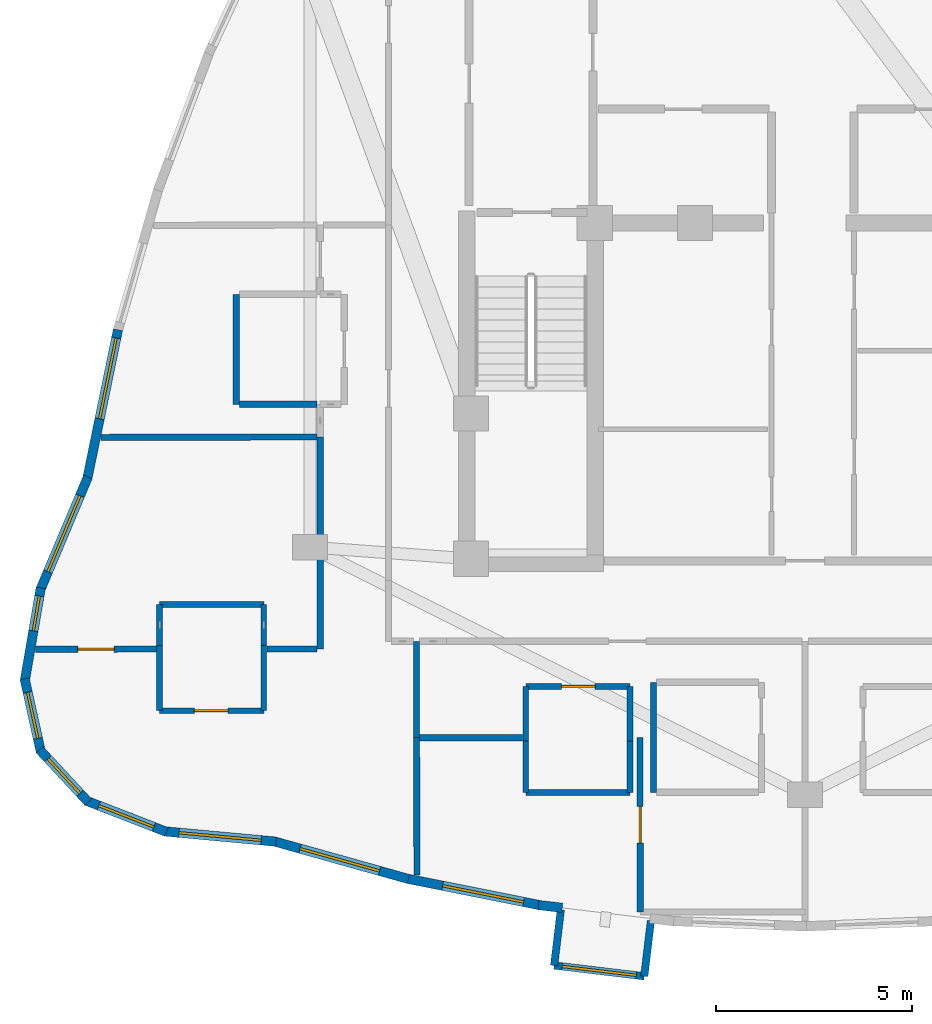
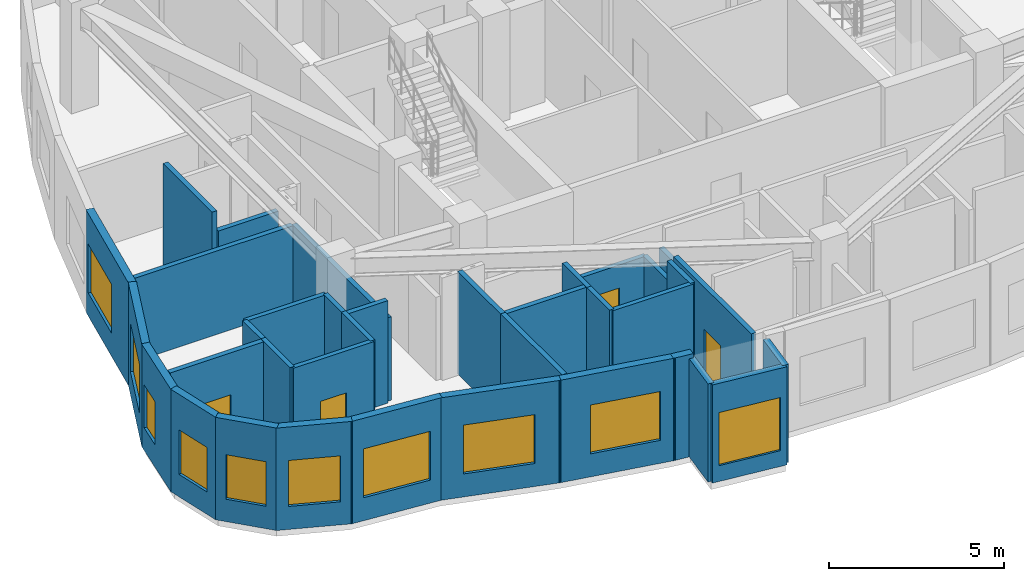
# One storey, part 7 of 13: 36 walls, 10 windows, 4 doors, 14 openings.
"""IFC4 building model written with IfcOpenShell, lengths in metres."""

from ifc_helpers import new_model, si_unit, direction, frame, frame_2d, origin, place, context, subcontext, project, spatial, rectangle, extrude, material, layer, layer_set, type_object, element, fill, save


model = new_model("IFC4")

# Units and contexts
model_context = context("Model", 3, precision=1e-05, world=origin(), true_north=direction((0.0, 1.0)))
body_context = subcontext(model_context, "Body", "Model", "MODEL_VIEW")
ifc_project = project(units=[si_unit("LENGTHUNIT", "METRE"), si_unit("AREAUNIT", "SQUARE_METRE"), si_unit("VOLUMEUNIT", "CUBIC_METRE"), si_unit("PLANEANGLEUNIT", "RADIAN"), si_unit("MASSUNIT", "GRAM", prefix="KILO")], contexts=[model_context])

# Site, building, storey
site_placement = place(None, origin())
site = spatial("IfcSite", under=ifc_project, at=site_placement, CompositionType="ELEMENT")
building_placement = place(site_placement, origin())
building = spatial("IfcBuilding", under=site, at=building_placement, Name="Miruveldt Soraemaru", CompositionType="ELEMENT")
storey_placement = place(building_placement, frame((0.0, 0.0, 259.699951171875)))
storey = spatial("IfcBuildingStorey", under=building, at=storey_placement, Name="L71", CompositionType="ELEMENT", Elevation=259.699951171875)

# Walls
ifc_material_1 = material(Name="White powder-coated aluminium EN AW-6060 T6", Category="aluminium")
ifc_layer_1 = layer(ifc_material_1, 0.18994140625, Name="White powder-coated aluminium EN AW-6060 T6", Category="aluminium")
ifc_layer_set_1 = layer_set([ifc_layer_1], Name="White powder-coated aluminium EN AW-6060 T6")
wall_type_1 = type_object("IfcWallType", Name="WALL-BAY-ALU190", PredefinedType="SOLIDWALL", material=ifc_layer_set_1)
for number, where, z_axis, x_axis, name in (
    (1, (37.783935546875, 26.564697265625, 0.0), (0.0, 0.0, 1.0), (-0.119077659317, -0.992884943511, 0.0), "L71 Bay Window Side Cheek 1L"),
    (2, (39.90869140625, 24.87451171875, 0.0), (0.0, 0.0, 1.0), (0.119246559468, 0.992864672579, 0.0), "L71 Bay Window Side Cheek 1R"),
):
    element("IfcWall", number, at=place(storey_placement, frame(where, z_axis=z_axis, x_axis=x_axis)), inside=storey, type_object=wall_type_1, Name=name, PredefinedType="SOLIDWALL", context=body_context, shape_type="SweptSolid", body=[
        extrude(rectangle(XDim=1.425048828125, YDim=0.18994140625, at=frame_2d((0.71240234375, 0.0))), origin(), (0.0, 0.0, 1.0), 3.4150390625),
    ])

# Wall, opening, window
wall_1_placement = place(storey_placement, frame((37.6142578125, 25.14990234375, 0.0), z_axis=(0.0, 0.0, 1.0), x_axis=(0.992873838721, -0.119170216012, 0.0)))
wall_1 = element("IfcWall", 3, at=wall_1_placement, inside=storey, type_object=wall_type_1, Name="L71 Bay Window Front Frame 1", PredefinedType="SOLIDWALL", context=body_context, shape_type="SweptSolid", body=[
    extrude(rectangle(XDim=2.310791015625, YDim=0.18994140625, at=frame_2d((1.1552734375, 0.0))), origin(), (0.0, 0.0, 1.0), 3.4150390625),
])
opening_1_placement = place(wall_1_placement, frame((0.2060546875, 0.0, 0.550048828125)))
opening_1 = element("IfcOpeningElement", 4, at=opening_1_placement, cuts=wall_1, Name="Opening WN-6", PredefinedType="OPENING", context=body_context, shape_type="SweptSolid", body=[
    extrude(rectangle(XDim=1.89990234375, YDim=1.85009765625, at=frame_2d((0.949951171875, 0.925048828125))), frame((0.0, 0.10498046875, 0.0), z_axis=(0.0, -1.0, 0.0), x_axis=(1.0, 0.0, 0.0)), (0.0, 0.0, 1.0), 0.2099609375),
])
ifc_material_2 = material(Name="Triple low-e insulated glazing", Category="glass")
window_type_1 = type_object("IfcWindowType", Name="WIN-BAYW-1900x1850", PartitioningType="SINGLE_PANEL", PredefinedType="WINDOW", material=ifc_material_2)
window_1_placement = place(opening_1_placement, origin())
window_1 = element("IfcWindow", 5, at=window_1_placement, inside=storey, type_object=window_type_1, Name="L71 Projecting Bay Window 1", OverallHeight=1.85009765625, OverallWidth=1.89990234375, PartitioningType="SINGLE_PANEL", PredefinedType="WINDOW", context=body_context, shape_type="SweptSolid", body=[
    extrude(rectangle(XDim=1.89990234375, YDim=1.85009765625, at=frame_2d((0.949951171875, 0.925048828125))), frame((0.0, 0.030029296875, 0.0), z_axis=(0.0, -1.0, 0.0), x_axis=(1.0, 0.0, 0.0)), (0.0, 0.0, 1.0), 0.06005859375),
])
fill(opening_1, window_1)

ifc_material_3 = material(Name="Precast concrete C45/55 (45 MPa)", Category="concrete")
ifc_layer_2 = layer(ifc_material_3, 0.239990234375, Name="Precast concrete C45/55 (45 MPa)", Category="concrete")
ifc_layer_set_2 = layer_set([ifc_layer_2], Name="Precast concrete C45/55 (45 MPa)")
wall_type_2 = type_object("IfcWallType", Name="WALL-EXT-PC240", PredefinedType="SOLIDWALL", material=ifc_layer_set_2)
wall_2_placement = place(storey_placement, frame((26.51025390625, 41.334716796875, 0.0), z_axis=(0.0, 0.0, 1.0), x_axis=(-0.201598089636, -0.979468330399, 0.0)))
wall_2 = element("IfcWall", 6, at=wall_2_placement, inside=storey, type_object=wall_type_2, Name="L71 Precast Concrete Facade Wall 14", PredefinedType="SOLIDWALL", context=body_context, shape_type="SweptSolid", body=[
    extrude(rectangle(XDim=3.894775390625, YDim=0.239990234375, at=frame_2d((1.947265625, 0.0))), origin(), (0.0, 0.0, 1.0), 3.56494140625),
])
opening_2_placement = place(wall_2_placement, frame((0.216064453125, 0.0, 0.800048828125)))
opening_2 = element("IfcOpeningElement", 7, at=opening_2_placement, cuts=wall_2, Name="Opening WN-1", PredefinedType="OPENING", context=body_context, shape_type="SweptSolid", body=[
    extrude(rectangle(XDim=2.10009765625, YDim=1.699951171875, at=frame_2d((1.050048828125, 0.85009765625))), frame((0.0, 0.1298828125, 0.0), z_axis=(0.0, -1.0, 0.0), x_axis=(1.0, 0.0, 0.0)), (0.0, 0.0, 1.0), 0.260009765625),
])
window_type_2 = type_object("IfcWindowType", Name="WIN-PUNCH-2100x1700", PartitioningType="SINGLE_PANEL", PredefinedType="WINDOW", material=ifc_material_2)
window_2_placement = place(opening_2_placement, origin())
window_2 = element("IfcWindow", 8, at=window_2_placement, inside=storey, type_object=window_type_2, Name="L71 Punched Triple-Glazed Window 14.1", OverallHeight=1.699951171875, OverallWidth=2.10009765625, PartitioningType="SINGLE_PANEL", PredefinedType="WINDOW", context=body_context, shape_type="SweptSolid", body=[
    extrude(rectangle(XDim=2.10009765625, YDim=1.699951171875, at=frame_2d((1.050048828125, 0.85009765625))), frame((0.0, 0.030029296875, 0.0), z_axis=(0.0, -1.0, 0.0), x_axis=(1.0, 0.0, 0.0)), (0.0, 0.0, 1.0), 0.06005859375),
])
fill(opening_2, window_2)

wall_3_placement = place(storey_placement, frame((25.745849609375, 37.586669921875, 0.0), z_axis=(0.0, 0.0, 1.0), x_axis=(-0.388606577421, -0.921403781187, 0.0)))
wall_3 = element("IfcWall", 9, at=wall_3_placement, inside=storey, type_object=wall_type_2, Name="L71 Precast Concrete Facade Wall 15", PredefinedType="SOLIDWALL", context=body_context, shape_type="SweptSolid", body=[
    extrude(rectangle(XDim=3.137451171875, YDim=0.239990234375, at=frame_2d((1.56884765625, 0.0))), origin(), (0.0, 0.0, 1.0), 3.56494140625),
])
opening_3_placement = place(wall_3_placement, frame((0.51904296875, 0.0, 0.800048828125)))
opening_3 = element("IfcOpeningElement", 10, at=opening_3_placement, cuts=wall_3, Name="Opening WN-1", PredefinedType="OPENING", context=body_context, shape_type="SweptSolid", body=[
    extrude(rectangle(XDim=2.10009765625, YDim=1.699951171875, at=frame_2d((1.050048828125, 0.85009765625))), frame((0.0, 0.1298828125, 0.0), z_axis=(0.0, -1.0, 0.0), x_axis=(1.0, 0.0, 0.0)), (0.0, 0.0, 1.0), 0.260009765625),
])
window_3_placement = place(opening_3_placement, origin())
window_3 = element("IfcWindow", 11, at=window_3_placement, inside=storey, type_object=window_type_2, Name="L71 Punched Triple-Glazed Window 15.1", OverallHeight=1.699951171875, OverallWidth=2.10009765625, PartitioningType="SINGLE_PANEL", PredefinedType="WINDOW", context=body_context, shape_type="SweptSolid", body=[
    extrude(rectangle(XDim=2.10009765625, YDim=1.699951171875, at=frame_2d((1.050048828125, 0.85009765625))), frame((0.0, 0.030029296875, 0.0), z_axis=(0.0, -1.0, 0.0), x_axis=(1.0, 0.0, 0.0)), (0.0, 0.0, 1.0), 0.06005859375),
])
fill(opening_3, window_3)

wall_4_placement = place(storey_placement, frame((24.5458984375, 34.762451171875, 0.0), z_axis=(0.0, 0.0, 1.0), x_axis=(-0.169328349246, -0.98555969385, 0.0)))
wall_4 = element("IfcWall", 12, at=wall_4_placement, inside=storey, type_object=wall_type_2, Name="L71 Precast Concrete Facade Wall 16", PredefinedType="SOLIDWALL", context=body_context, shape_type="SweptSolid", body=[
    extrude(rectangle(XDim=2.41650390625, YDim=0.239990234375, at=frame_2d((1.208251953125, 0.0))), origin(), (0.0, 0.0, 1.0), 3.56494140625),
])
opening_4_placement = place(wall_4_placement, frame((0.2119140625, 0.0, 0.780029296875)))
opening_4 = element("IfcOpeningElement", 13, at=opening_4_placement, cuts=wall_4, Name="Opening WN-7", PredefinedType="OPENING", context=body_context, shape_type="SweptSolid", body=[
    extrude(rectangle(XDim=0.89990234375, YDim=1.5, at=frame_2d((0.449951171875, 0.75))), frame((0.0, 0.1298828125, 0.0), z_axis=(0.0, -1.0, 0.0), x_axis=(1.0, 0.0, 0.0)), (0.0, 0.0, 1.0), 0.260009765625),
])
window_type_3 = type_object("IfcWindowType", Name="WIN-PUNCH-900x1500", PartitioningType="SINGLE_PANEL", PredefinedType="WINDOW", material=ifc_material_2)
window_4_placement = place(opening_4_placement, origin())
window_4 = element("IfcWindow", 14, at=window_4_placement, inside=storey, type_object=window_type_3, Name="L71 Punched Triple-Glazed Window 16.1", OverallHeight=1.5, OverallWidth=0.89990234375, PartitioningType="SINGLE_PANEL", PredefinedType="WINDOW", context=body_context, shape_type="SweptSolid", body=[
    extrude(rectangle(XDim=0.89990234375, YDim=1.5, at=frame_2d((0.449951171875, 0.75))), frame((0.0, 0.030029296875, 0.0), z_axis=(0.0, -1.0, 0.0), x_axis=(1.0, 0.0, 0.0)), (0.0, 0.0, 1.0), 0.06005859375),
])
fill(opening_4, window_4)

wall_5_placement = place(storey_placement, frame((24.135009765625, 32.449462890625, 0.0), z_axis=(0.0, 0.0, 1.0), x_axis=(0.215794628874, -0.976438773374, 0.0)))
wall_5 = element("IfcWall", 15, at=wall_5_placement, inside=storey, type_object=wall_type_2, Name="L71 Precast Concrete Facade Wall 17", PredefinedType="SOLIDWALL", context=body_context, shape_type="SweptSolid", body=[
    extrude(rectangle(XDim=1.912109375, YDim=0.239990234375, at=frame_2d((0.9560546875, 0.0))), origin(), (0.0, 0.0, 1.0), 3.56494140625),
])
opening_5_placement = place(wall_5_placement, frame((0.35595703125, 0.0, 0.780029296875)))
opening_5 = element("IfcOpeningElement", 16, at=opening_5_placement, cuts=wall_5, Name="Opening WN-4", PredefinedType="OPENING", context=body_context, shape_type="SweptSolid", body=[
    extrude(rectangle(XDim=1.199951171875, YDim=1.550048828125, at=frame_2d((0.60009765625, 0.77490234375))), frame((0.0, 0.1298828125, 0.0), z_axis=(0.0, -1.0, 0.0), x_axis=(1.0, 0.0, 0.0)), (0.0, 0.0, 1.0), 0.260009765625),
])
window_type_4 = type_object("IfcWindowType", Name="WIN-PUNCH-1200x1550", PartitioningType="SINGLE_PANEL", PredefinedType="WINDOW", material=ifc_material_2)
window_5_placement = place(opening_5_placement, origin())
window_5 = element("IfcWindow", 17, at=window_5_placement, inside=storey, type_object=window_type_4, Name="L71 Punched Triple-Glazed Window 17.1", OverallHeight=1.550048828125, OverallWidth=1.199951171875, PartitioningType="SINGLE_PANEL", PredefinedType="WINDOW", context=body_context, shape_type="SweptSolid", body=[
    extrude(rectangle(XDim=1.199951171875, YDim=1.550048828125, at=frame_2d((0.60009765625, 0.77490234375))), frame((0.0, 0.030029296875, 0.0), z_axis=(0.0, -1.0, 0.0), x_axis=(1.0, 0.0, 0.0)), (0.0, 0.0, 1.0), 0.06005859375),
])
fill(opening_5, window_5)

wall_6_placement = place(storey_placement, frame((24.516357421875, 30.642333984375, 0.0), z_axis=(0.0, 0.0, 1.0), x_axis=(0.680158207142, -0.733065354015, 0.0)))
wall_6 = element("IfcWall", 18, at=wall_6_placement, inside=storey, type_object=wall_type_2, Name="L71 Precast Concrete Facade Wall 18", PredefinedType="SOLIDWALL", context=body_context, shape_type="SweptSolid", body=[
    extrude(rectangle(XDim=1.82275390625, YDim=0.239990234375, at=frame_2d((0.911376953125, 0.0))), origin(), (0.0, 0.0, 1.0), 3.56494140625),
])
opening_6_placement = place(wall_6_placement, frame((0.31103515625, 0.0, 0.780029296875)))
opening_6 = element("IfcOpeningElement", 19, at=opening_6_placement, cuts=wall_6, Name="Opening WN-4", PredefinedType="OPENING", context=body_context, shape_type="SweptSolid", body=[
    extrude(rectangle(XDim=1.199951171875, YDim=1.550048828125, at=frame_2d((0.60009765625, 0.77490234375))), frame((0.0, 0.1298828125, 0.0), z_axis=(0.0, -1.0, 0.0), x_axis=(1.0, 0.0, 0.0)), (0.0, 0.0, 1.0), 0.260009765625),
])
window_6_placement = place(opening_6_placement, origin())
window_6 = element("IfcWindow", 20, at=window_6_placement, inside=storey, type_object=window_type_4, Name="L71 Punched Triple-Glazed Window 18.1", OverallHeight=1.550048828125, OverallWidth=1.199951171875, PartitioningType="SINGLE_PANEL", PredefinedType="WINDOW", context=body_context, shape_type="SweptSolid", body=[
    extrude(rectangle(XDim=1.199951171875, YDim=1.550048828125, at=frame_2d((0.60009765625, 0.77490234375))), frame((0.0, 0.030029296875, 0.0), z_axis=(0.0, -1.0, 0.0), x_axis=(1.0, 0.0, 0.0)), (0.0, 0.0, 1.0), 0.06005859375),
])
fill(opening_6, window_6)

wall_7_placement = place(storey_placement, frame((25.69970703125, 29.344482421875, 0.0), z_axis=(0.0, 0.0, 1.0), x_axis=(0.932289565547, -0.361712822516, 0.0)))
wall_7 = element("IfcWall", 21, at=wall_7_placement, inside=storey, type_object=wall_type_2, Name="L71 Precast Concrete Facade Wall 19", PredefinedType="SOLIDWALL", context=body_context, shape_type="SweptSolid", body=[
    extrude(rectangle(XDim=2.200927734375, YDim=0.239990234375, at=frame_2d((1.1005859375, 0.0))), origin(), (0.0, 0.0, 1.0), 3.56494140625),
])
opening_7_placement = place(wall_7_placement, frame((0.35107421875, 0.0, 0.800048828125)))
opening_7 = element("IfcOpeningElement", 22, at=opening_7_placement, cuts=wall_7, Name="Opening WN-3", PredefinedType="OPENING", context=body_context, shape_type="SweptSolid", body=[
    extrude(rectangle(XDim=1.5, YDim=1.60009765625, at=frame_2d((0.75, 0.800048828125))), frame((0.0, 0.1298828125, 0.0), z_axis=(0.0, -1.0, 0.0), x_axis=(1.0, 0.0, 0.0)), (0.0, 0.0, 1.0), 0.260009765625),
])
window_type_5 = type_object("IfcWindowType", Name="WIN-PUNCH-1500x1600", PartitioningType="SINGLE_PANEL", PredefinedType="WINDOW", material=ifc_material_2)
window_7_placement = place(opening_7_placement, origin())
window_7 = element("IfcWindow", 23, at=window_7_placement, inside=storey, type_object=window_type_5, Name="L71 Punched Triple-Glazed Window 19.1", OverallHeight=1.60009765625, OverallWidth=1.5, PartitioningType="SINGLE_PANEL", PredefinedType="WINDOW", context=body_context, shape_type="SweptSolid", body=[
    extrude(rectangle(XDim=1.5, YDim=1.60009765625, at=frame_2d((0.75, 0.800048828125))), frame((0.0, 0.030029296875, 0.0), z_axis=(0.0, -1.0, 0.0), x_axis=(1.0, 0.0, 0.0)), (0.0, 0.0, 1.0), 0.06005859375),
])
fill(opening_7, window_7)

wall_8_placement = place(storey_placement, frame((27.68408203125, 28.564208984375, 0.0), z_axis=(0.0, 0.0, 1.0), x_axis=(0.99576007386, -0.091988452029, 0.0)))
wall_8 = element("IfcWall", 24, at=wall_8_placement, inside=storey, type_object=wall_type_2, Name="L71 Precast Concrete Facade Wall 20", PredefinedType="SOLIDWALL", context=body_context, shape_type="SweptSolid", body=[
    extrude(rectangle(XDim=2.86376953125, YDim=0.239990234375, at=frame_2d((1.431884765625, 0.0))), origin(), (0.0, 0.0, 1.0), 3.56494140625),
])
opening_8_placement = place(wall_8_placement, frame((0.382080078125, 0.0, 0.800048828125)))
opening_8 = element("IfcOpeningElement", 25, at=opening_8_placement, cuts=wall_8, Name="Opening WN-1", PredefinedType="OPENING", context=body_context, shape_type="SweptSolid", body=[
    extrude(rectangle(XDim=2.10009765625, YDim=1.699951171875, at=frame_2d((1.050048828125, 0.85009765625))), frame((0.0, 0.1298828125, 0.0), z_axis=(0.0, -1.0, 0.0), x_axis=(1.0, 0.0, 0.0)), (0.0, 0.0, 1.0), 0.260009765625),
])
window_8_placement = place(opening_8_placement, origin())
window_8 = element("IfcWindow", 26, at=window_8_placement, inside=storey, type_object=window_type_2, Name="L71 Punched Triple-Glazed Window 20.1", OverallHeight=1.699951171875, OverallWidth=2.10009765625, PartitioningType="SINGLE_PANEL", PredefinedType="WINDOW", context=body_context, shape_type="SweptSolid", body=[
    extrude(rectangle(XDim=2.10009765625, YDim=1.699951171875, at=frame_2d((1.050048828125, 0.85009765625))), frame((0.0, 0.030029296875, 0.0), z_axis=(0.0, -1.0, 0.0), x_axis=(1.0, 0.0, 0.0)), (0.0, 0.0, 1.0), 0.06005859375),
])
fill(opening_8, window_8)

wall_9_placement = place(storey_placement, frame((30.467041015625, 28.3134765625, 0.0), z_axis=(0.0, 0.0, 1.0), x_axis=(0.962959054134, -0.269647659105, 0.0)))
wall_9 = element("IfcWall", 27, at=wall_9_placement, inside=storey, type_object=wall_type_2, Name="L71 Precast Concrete Facade Wall 21", PredefinedType="SOLIDWALL", context=body_context, shape_type="SweptSolid", body=[
    extrude(rectangle(XDim=3.574462890625, YDim=0.239990234375, at=frame_2d((1.787109375, 0.0))), origin(), (0.0, 0.0, 1.0), 3.56494140625),
])
opening_9_placement = place(wall_9_placement, frame((0.70703125, 0.0, 0.800048828125)))
opening_9 = element("IfcOpeningElement", 28, at=opening_9_placement, cuts=wall_9, Name="Opening WN-1", PredefinedType="OPENING", context=body_context, shape_type="SweptSolid", body=[
    extrude(rectangle(XDim=2.10009765625, YDim=1.699951171875, at=frame_2d((1.050048828125, 0.85009765625))), frame((0.0, 0.1298828125, 0.0), z_axis=(0.0, -1.0, 0.0), x_axis=(1.0, 0.0, 0.0)), (0.0, 0.0, 1.0), 0.260009765625),
])
window_9_placement = place(opening_9_placement, origin())
window_9 = element("IfcWindow", 29, at=window_9_placement, inside=storey, type_object=window_type_2, Name="L71 Punched Triple-Glazed Window 21.1", OverallHeight=1.699951171875, OverallWidth=2.10009765625, PartitioningType="SINGLE_PANEL", PredefinedType="WINDOW", context=body_context, shape_type="SweptSolid", body=[
    extrude(rectangle(XDim=2.10009765625, YDim=1.699951171875, at=frame_2d((1.050048828125, 0.85009765625))), frame((0.0, 0.030029296875, 0.0), z_axis=(0.0, -1.0, 0.0), x_axis=(1.0, 0.0, 0.0)), (0.0, 0.0, 1.0), 0.06005859375),
])
fill(opening_9, window_9)

wall_10_placement = place(storey_placement, frame((33.84130859375, 27.365966796875, 0.0), z_axis=(0.0, 0.0, 1.0), x_axis=(0.980578001568, -0.196129505277, 0.0)))
wall_10 = element("IfcWall", 30, at=wall_10_placement, inside=storey, type_object=wall_type_2, Name="L71 Precast Concrete Facade Wall 22", PredefinedType="SOLIDWALL", context=body_context, shape_type="SweptSolid", body=[
    extrude(rectangle(XDim=3.511474609375, YDim=0.239990234375, at=frame_2d((1.755859375, 0.0))), origin(), (0.0, 0.0, 1.0), 3.56494140625),
])
opening_10_placement = place(wall_10_placement, frame((0.9560546875, 0.0, 0.800048828125)))
opening_10 = element("IfcOpeningElement", 31, at=opening_10_placement, cuts=wall_10, Name="Opening WN-1", PredefinedType="OPENING", context=body_context, shape_type="SweptSolid", body=[
    extrude(rectangle(XDim=2.10009765625, YDim=1.699951171875, at=frame_2d((1.050048828125, 0.85009765625))), frame((0.0, 0.1298828125, 0.0), z_axis=(0.0, -1.0, 0.0), x_axis=(1.0, 0.0, 0.0)), (0.0, 0.0, 1.0), 0.260009765625),
])
window_10_placement = place(opening_10_placement, origin())
window_10 = element("IfcWindow", 32, at=window_10_placement, inside=storey, type_object=window_type_2, Name="L71 Punched Triple-Glazed Window 22.1", OverallHeight=1.699951171875, OverallWidth=2.10009765625, PartitioningType="SINGLE_PANEL", PredefinedType="WINDOW", context=body_context, shape_type="SweptSolid", body=[
    extrude(rectangle(XDim=2.10009765625, YDim=1.699951171875, at=frame_2d((1.050048828125, 0.85009765625))), frame((0.0, 0.030029296875, 0.0), z_axis=(0.0, -1.0, 0.0), x_axis=(1.0, 0.0, 0.0)), (0.0, 0.0, 1.0), 0.06005859375),
])
fill(opening_10, window_10)

# Wall
wall_11_placement = place(storey_placement, frame((37.215576171875, 26.688232421875, 0.0), z_axis=(0.0, 0.0, 1.0), x_axis=(0.992888214359, -0.119050383393, 0.0)))
element("IfcWall", 33, at=wall_11_placement, inside=storey, type_object=wall_type_2, Name="L71 Precast Pier Wall 23A", PredefinedType="SOLIDWALL", context=body_context, shape_type="SweptSolid", body=[
    extrude(rectangle(XDim=0.609130859375, YDim=0.239990234375, at=frame_2d((0.3046875, 0.0))), origin(), (0.0, 0.0, 1.0), 3.56494140625),
])

# Wall, opening, door
ifc_material_4 = material(Name="Gypsum plasterboard lining", Category="gypsum")
ifc_layer_3 = layer(ifc_material_4, 0.14990234375, Name="Gypsum plasterboard lining", Category="gypsum")
ifc_layer_set_3 = layer_set([ifc_layer_3], Name="Gypsum plasterboard lining")
wall_type_3 = type_object("IfcWallType", Name="WALL-INT-PLUMB", PredefinedType="PLUMBINGWALL", material=ifc_layer_set_3)
wall_12_placement = place(storey_placement, frame((27.572998046875, 31.635009765625, 0.0), z_axis=(0.0, 0.0, 1.0), x_axis=(1.0, 0.0, 0.0)))
wall_12 = element("IfcWall", 34, at=wall_12_placement, inside=storey, type_object=wall_type_3, Name="L71 Partition Wall 29", PredefinedType="PLUMBINGWALL", context=body_context, shape_type="SweptSolid", body=[
    extrude(rectangle(XDim=2.64990234375, YDim=0.14990234375, at=frame_2d((1.324951171875, 0.0))), origin(), (0.0, 0.0, 1.0), 3.56494140625),
])
opening_11_placement = place(wall_12_placement, frame((0.885009765625, 0.0, 0.0)))
opening_11 = element("IfcOpeningElement", 35, at=opening_11_placement, cuts=wall_12, Name="Opening FD3", PredefinedType="OPENING", context=body_context, shape_type="SweptSolid", body=[
    extrude(rectangle(XDim=0.85009765625, YDim=2.10009765625, at=frame_2d((0.425048828125, 1.050048828125))), frame((0.0, 0.0849609375, 0.0), z_axis=(0.0, -1.0, 0.0), x_axis=(1.0, 0.0, 0.0)), (0.0, 0.0, 1.0), 0.169921875),
])
ifc_material_5 = material(Name="Anodised aluminium EN AW-6063 T6", Category="aluminium")
door_type_1 = type_object("IfcDoorType", Name="DOOR-FD3-850", OperationType="NOTDEFINED", PredefinedType="DOOR", material=ifc_material_5)
door_1_placement = place(opening_11_placement, origin())
door_1 = element("IfcDoor", 36, at=door_1_placement, inside=storey, type_object=door_type_1, Name="L71 Unit 7102 BTH Door", OperationType="SINGLE_SWING_RIGHT", OverallHeight=2.10009765625, OverallWidth=0.85009765625, PredefinedType="DOOR", context=body_context, shape_type="SweptSolid", body=[
    extrude(rectangle(XDim=0.85009765625, YDim=2.10009765625, at=frame_2d((0.425048828125, 1.050048828125))), frame((0.0, 0.02490234375, 0.0), z_axis=(0.0, -1.0, 0.0), x_axis=(1.0, 0.0, 0.0)), (0.0, 0.0, 1.0), 0.050048828125),
])
fill(opening_11, door_1)

wall_13_placement = place(storey_placement, frame((39.5419921875, 32.256103515625, 0.0), z_axis=(0.0, 0.0, 1.0), x_axis=(-1.0, 0.0, 0.0)))
wall_13 = element("IfcWall", 37, at=wall_13_placement, inside=storey, type_object=wall_type_3, Name="L71 Partition Wall 48", PredefinedType="PLUMBINGWALL", context=body_context, shape_type="SweptSolid", body=[
    extrude(rectangle(XDim=2.64990234375, YDim=0.14990234375, at=frame_2d((1.324951171875, 0.0))), origin(), (0.0, 0.0, 1.0), 2.903076171875),
])
opening_12_placement = place(wall_13_placement, frame((0.885009765625, 0.0, 0.0)))
opening_12 = element("IfcOpeningElement", 38, at=opening_12_placement, cuts=wall_13, Name="Opening FD3", PredefinedType="OPENING", context=body_context, shape_type="SweptSolid", body=[
    extrude(rectangle(XDim=0.85009765625, YDim=2.10009765625, at=frame_2d((0.425048828125, 1.050048828125))), frame((0.0, 0.0849609375, 0.0), z_axis=(0.0, -1.0, 0.0), x_axis=(1.0, 0.0, 0.0)), (0.0, 0.0, 1.0), 0.169921875),
])
door_2_placement = place(opening_12_placement, origin())
door_2 = element("IfcDoor", 39, at=door_2_placement, inside=storey, type_object=door_type_1, Name="L71 Unit 7103 BTH Door", OperationType="SINGLE_SWING_LEFT", OverallHeight=2.10009765625, OverallWidth=0.85009765625, PredefinedType="DOOR", context=body_context, shape_type="SweptSolid", body=[
    extrude(rectangle(XDim=0.85009765625, YDim=2.10009765625, at=frame_2d((0.425048828125, 1.050048828125))), frame((0.0, 0.02490234375, 0.0), z_axis=(0.0, -1.0, 0.0), x_axis=(1.0, 0.0, 0.0)), (0.0, 0.0, 1.0), 0.050048828125),
])
fill(opening_12, door_2)

# Walls
for number, where, z_axis, x_axis, name in (
    (40, (30.222900390625, 34.3349609375, 0.0), (0.0, 0.0, 1.0), (-1.0, 0.0, 0.0), "L71 Partition Wall 41"),
    (41, (36.89208984375, 29.555908203125, 0.0), (0.0, 0.0, 1.0), (1.0, 0.0, 0.0), "L71 Partition Wall 58"),
):
    element("IfcWall", number, at=place(storey_placement, frame(where, z_axis=z_axis, x_axis=x_axis)), inside=storey, type_object=wall_type_3, Name=name, PredefinedType="PLUMBINGWALL", context=body_context, shape_type="SweptSolid", body=[
        extrude(rectangle(XDim=2.64990234375, YDim=0.14990234375, at=frame_2d((1.324951171875, 0.0))), origin(), (0.0, 0.0, 1.0), 3.56494140625),
    ])
for number, where, z_axis, x_axis, name in (
    (42, (30.222900390625, 31.635009765625, 0.0), (0.0, 0.0, 1.0), (0.0, 1.0, 0.0), "L71 Partition Wall 27"),
    (43, (27.572998046875, 33.2958984375, 0.0), (0.0, 0.0, 1.0), (0.0, -1.0, 0.0), "L71 Partition Wall 28"),
):
    element("IfcWall", number, at=place(storey_placement, frame(where, z_axis=z_axis, x_axis=x_axis)), inside=storey, type_object=wall_type_3, Name=name, PredefinedType="PLUMBINGWALL", context=body_context, shape_type="SweptSolid", body=[
        extrude(rectangle(XDim=1.660888671875, YDim=0.14990234375, at=frame_2d((0.83056640625, 0.0))), origin(), (0.0, 0.0, 1.0), 3.56494140625),
    ])
wall_14_placement = place(storey_placement, frame((39.5419921875, 30.860107421875, 0.0), z_axis=(0.0, 0.0, 1.0), x_axis=(0.0, 1.0, 0.0)))
element("IfcWall", 44, at=wall_14_placement, inside=storey, type_object=wall_type_3, Name="L71 Partition Wall 47", PredefinedType="PLUMBINGWALL", context=body_context, shape_type="SweptSolid", body=[
    extrude(rectangle(XDim=1.39599609375, YDim=0.14990234375, at=frame_2d((0.697998046875, 0.0))), origin(), (0.0, 0.0, 1.0), 2.903076171875),
])
wall_15_placement = place(storey_placement, frame((36.89208984375, 32.256103515625, 0.0), z_axis=(0.0, 0.0, 1.0), x_axis=(0.0, -1.0, 0.0)))
element("IfcWall", 45, at=wall_15_placement, inside=storey, type_object=wall_type_3, Name="L71 Partition Wall 49", PredefinedType="PLUMBINGWALL", context=body_context, shape_type="SweptSolid", body=[
    extrude(rectangle(XDim=1.39599609375, YDim=0.14990234375, at=frame_2d((0.697998046875, 0.0))), origin(), (0.0, 0.0, 1.0), 3.56494140625),
])
for number, where, z_axis, x_axis, name in (
    (46, (36.89208984375, 30.860107421875, 0.0), (0.0, 0.0, 1.0), (0.0, -1.0, 0.0), "L71 Partition Wall 57"),
    (47, (39.5419921875, 29.555908203125, 0.0), (0.0, 0.0, 1.0), (0.0, 1.0, 0.0), "L71 Partition Wall 59"),
):
    element("IfcWall", number, at=place(storey_placement, frame(where, z_axis=z_axis, x_axis=x_axis)), inside=storey, type_object=wall_type_3, Name=name, PredefinedType="PLUMBINGWALL", context=body_context, shape_type="SweptSolid", body=[
        extrude(rectangle(XDim=1.30419921875, YDim=0.14990234375, at=frame_2d((0.652099609375, 0.0))), origin(), (0.0, 0.0, 1.0), 3.56494140625),
    ])
for number, where, z_axis, x_axis, name in (
    (48, (30.222900390625, 33.2958984375, 0.0), (0.0, 0.0, 1.0), (0.0, 1.0, 0.0), "L71 Partition Wall 40"),
    (49, (27.572998046875, 34.3349609375, 0.0), (0.0, 0.0, 1.0), (0.0, -1.0, 0.0), "L71 Partition Wall 42"),
):
    element("IfcWall", number, at=place(storey_placement, frame(where, z_axis=z_axis, x_axis=x_axis)), inside=storey, type_object=wall_type_3, Name=name, PredefinedType="PLUMBINGWALL", context=body_context, shape_type="SweptSolid", body=[
        extrude(rectangle(XDim=1.0390625, YDim=0.14990234375, at=frame_2d((0.51953125, 0.0))), origin(), (0.0, 0.0, 1.0), 3.56494140625),
    ])

# Wall, opening, door
ifc_material_6 = material(Name="Concrete C40/50 (40 MPa)", Category="concrete")
ifc_layer_4 = layer(ifc_material_6, 0.159912109375, Name="Concrete C40/50 (40 MPa)", Category="concrete")
ifc_layer_set_4 = layer_set([ifc_layer_4], Name="Concrete C40/50 (40 MPa)")
wall_type_4 = type_object("IfcWallType", Name="WALL-INT-RC160", PredefinedType="SOLIDWALL", material=ifc_layer_set_4)
wall_16_placement = place(storey_placement, frame((39.800048828125, 30.949951171875, 0.0), z_axis=(0.0, 0.0, 1.0), x_axis=(0.001540660656, -0.999998813182, 0.0)))
wall_16 = element("IfcWall", 50, at=wall_16_placement, inside=storey, type_object=wall_type_4, Name="L71 Partition Wall 55", PredefinedType="SOLIDWALL", context=body_context, shape_type="SweptSolid", body=[
    extrude(rectangle(XDim=4.43701171875, YDim=0.159912109375, at=frame_2d((2.218505859375, 0.0))), origin(), (0.0, 0.0, 1.0), 3.56494140625),
])
opening_13_placement = place(wall_16_placement, frame((1.759033203125, 0.0, 0.0)))
opening_13 = element("IfcOpeningElement", 51, at=opening_13_placement, cuts=wall_16, Name="Opening D3A", PredefinedType="OPENING", context=body_context, shape_type="SweptSolid", body=[
    extrude(rectangle(XDim=0.919921875, YDim=2.10009765625, at=frame_2d((0.4599609375, 1.050048828125))), frame((0.0, 0.08984375, 0.0), z_axis=(0.0, -1.0, 0.0), x_axis=(1.0, 0.0, 0.0)), (0.0, 0.0, 1.0), 0.179931640625),
])
door_type_2 = type_object("IfcDoorType", Name="DOOR-INT-920", OperationType="NOTDEFINED", PredefinedType="DOOR", material=ifc_material_5)
door_3_placement = place(opening_13_placement, origin())
door_3 = element("IfcDoor", 52, at=door_3_placement, inside=storey, type_object=door_type_2, Name="L71 Unit 7103 BD1 Door", OperationType="SINGLE_SWING_LEFT", OverallHeight=2.10009765625, OverallWidth=0.919921875, PredefinedType="DOOR", context=body_context, shape_type="SweptSolid", body=[
    extrude(rectangle(XDim=0.919921875, YDim=2.10009765625, at=frame_2d((0.4599609375, 1.050048828125))), frame((0.0, 0.02490234375, 0.0), z_axis=(0.0, -1.0, 0.0), x_axis=(1.0, 0.0, 0.0)), (0.0, 0.0, 1.0), 0.050048828125),
])
fill(opening_13, door_3)

wall_17_placement = place(storey_placement, frame((27.492919921875, 33.2060546875, 0.0), z_axis=(0.0, 0.0, 1.0), x_axis=(-0.999995696007, -0.002933933927, 0.0)))
wall_17 = element("IfcWall", 53, at=wall_17_placement, inside=storey, type_object=wall_type_4, Name="L71 Partition Wall 35", PredefinedType="SOLIDWALL", context=body_context, shape_type="SweptSolid", body=[
    extrude(rectangle(XDim=3.078857421875, YDim=0.159912109375, at=frame_2d((1.53955078125, 0.0))), origin(), (0.0, 0.0, 1.0), 3.56494140625),
])
opening_14_placement = place(wall_17_placement, frame((1.080078125, 0.0, 0.0)))
opening_14 = element("IfcOpeningElement", 54, at=opening_14_placement, cuts=wall_17, Name="Opening D3A", PredefinedType="OPENING", context=body_context, shape_type="SweptSolid", body=[
    extrude(rectangle(XDim=0.919921875, YDim=2.10009765625, at=frame_2d((0.4599609375, 1.050048828125))), frame((0.0, 0.08984375, 0.0), z_axis=(0.0, -1.0, 0.0), x_axis=(1.0, 0.0, 0.0)), (0.0, 0.0, 1.0), 0.179931640625),
])
door_4_placement = place(opening_14_placement, origin())
door_4 = element("IfcDoor", 55, at=door_4_placement, inside=storey, type_object=door_type_2, Name="L71 Unit 7102 BD1 Door", OperationType="SINGLE_SWING_RIGHT", OverallHeight=2.10009765625, OverallWidth=0.919921875, PredefinedType="DOOR", context=body_context, shape_type="SweptSolid", body=[
    extrude(rectangle(XDim=0.919921875, YDim=2.10009765625, at=frame_2d((0.4599609375, 1.050048828125))), frame((0.0, 0.02490234375, 0.0), z_axis=(0.0, -1.0, 0.0), x_axis=(1.0, 0.0, 0.0)), (0.0, 0.0, 1.0), 0.050048828125),
])
fill(opening_14, door_4)

# Walls
wall_18_placement = place(storey_placement, frame((31.58203125, 38.60302734375, 0.0), z_axis=(0.0, 0.0, 1.0), x_axis=(-0.999998003557, -0.001998219812, 0.0)))
element("IfcWall", 56, at=wall_18_placement, inside=storey, type_object=wall_type_4, Name="L71 Partition Wall 46", PredefinedType="SOLIDWALL", context=body_context, shape_type="SweptSolid", body=[
    extrude(rectangle(XDim=5.498046875, YDim=0.159912109375, at=frame_2d((2.7490234375, 0.0))), origin(), (0.0, 0.0, 1.0), 2.903076171875),
])
wall_19_placement = place(storey_placement, frame((31.662109375, 38.60302734375, 0.0), z_axis=(0.0, 0.0, 1.0), x_axis=(0.0, -1.0, 0.0)))
element("IfcWall", 57, at=wall_19_placement, inside=storey, type_object=wall_type_4, Name="L71 Partition Wall 33", PredefinedType="SOLIDWALL", context=body_context, shape_type="SweptSolid", body=[
    extrude(rectangle(XDim=5.39697265625, YDim=0.159912109375, at=frame_2d((2.698486328125, 0.0))), origin(), (0.0, 0.0, 1.0), 2.903076171875),
])
wall_20_placement = place(storey_placement, frame((34.123046875, 27.447021484375, 0.0), z_axis=(0.0, 0.0, 1.0), x_axis=(-0.003136310195, 0.999995081767, 0.0)))
element("IfcWall", 58, at=wall_20_placement, inside=storey, type_object=wall_type_4, Name="L71 Partition Wall 39", PredefinedType="SOLIDWALL", context=body_context, shape_type="SweptSolid", body=[
    extrude(rectangle(XDim=3.5029296875, YDim=0.159912109375, at=frame_2d((1.75146484375, 0.0))), origin(), (0.0, 0.0, 1.0), 3.56494140625),
])
wall_21_placement = place(storey_placement, frame((40.14208984375, 32.35595703125, 0.0), z_axis=(0.0, 0.0, 1.0), x_axis=(0.0, -1.0, 0.0)))
element("IfcWall", 59, at=wall_21_placement, inside=storey, type_object=wall_type_4, Name="L71 Partition Wall 52", PredefinedType="SOLIDWALL", context=body_context, shape_type="SweptSolid", body=[
    extrude(rectangle(XDim=2.800048828125, YDim=0.159912109375, at=frame_2d((1.39990234375, 0.0))), origin(), (0.0, 0.0, 1.0), 2.903076171875),
])
wall_22_placement = place(storey_placement, frame((29.52294921875, 42.235107421875, 0.0), z_axis=(0.0, 0.0, 1.0), x_axis=(0.0, -1.0, 0.0)))
element("IfcWall", 60, at=wall_22_placement, inside=storey, type_object=wall_type_4, Name="L71 Partition Wall 44", PredefinedType="SOLIDWALL", context=body_context, shape_type="SweptSolid", body=[
    extrude(rectangle(XDim=2.800048828125, YDim=0.159912109375, at=frame_2d((1.39990234375, 0.0))), origin(), (0.0, 0.0, 1.0), 3.56494140625),
])
wall_23_placement = place(storey_placement, frame((34.19189453125, 30.949951171875, 0.0), z_axis=(0.0, 0.0, 1.0), x_axis=(1.0, 0.0, 0.0)))
element("IfcWall", 61, at=wall_23_placement, inside=storey, type_object=wall_type_4, Name="L71 Partition Wall 54", PredefinedType="SOLIDWALL", context=body_context, shape_type="SweptSolid", body=[
    extrude(rectangle(XDim=2.6201171875, YDim=0.159912109375, at=frame_2d((1.31005859375, 0.0))), origin(), (0.0, 0.0, 1.0), 3.56494140625),
])
wall_24_placement = place(storey_placement, frame((34.112060546875, 30.949951171875, 0.0), z_axis=(0.0, 0.0, 1.0), x_axis=(0.0, 1.0, 0.0)))
element("IfcWall", 62, at=wall_24_placement, inside=storey, type_object=wall_type_4, Name="L71 Partition Wall 38", PredefinedType="SOLIDWALL", context=body_context, shape_type="SweptSolid", body=[
    extrude(rectangle(XDim=2.449951171875, YDim=0.159912109375, at=frame_2d((1.22509765625, 0.0))), origin(), (0.0, 0.0, 1.0), 3.56494140625),
])
wall_25_placement = place(storey_placement, frame((29.60302734375, 39.43505859375, 0.0), z_axis=(0.0, 0.0, 1.0), x_axis=(1.0, 0.0, 0.0)))
element("IfcWall", 63, at=wall_25_placement, inside=storey, type_object=wall_type_4, Name="L71 Partition Wall 45", PredefinedType="SOLIDWALL", context=body_context, shape_type="SweptSolid", body=[
    extrude(rectangle(XDim=1.97900390625, YDim=0.159912109375, at=frame_2d((0.989501953125, 0.0))), origin(), (0.0, 0.0, 1.0), 2.903076171875),
])
wall_26_placement = place(storey_placement, frame((31.58203125, 33.2060546875, 0.0), z_axis=(0.0, 0.0, 1.0), x_axis=(-1.0, 0.0, 0.0)))
element("IfcWall", 64, at=wall_26_placement, inside=storey, type_object=wall_type_4, Name="L71 Partition Wall 34", PredefinedType="SOLIDWALL", context=body_context, shape_type="SweptSolid", body=[
    extrude(rectangle(XDim=1.279052734375, YDim=0.159912109375, at=frame_2d((0.6396484375, 0.0))), origin(), (0.0, 0.0, 1.0), 3.56494140625),
])

save(model, "model.ifc")
